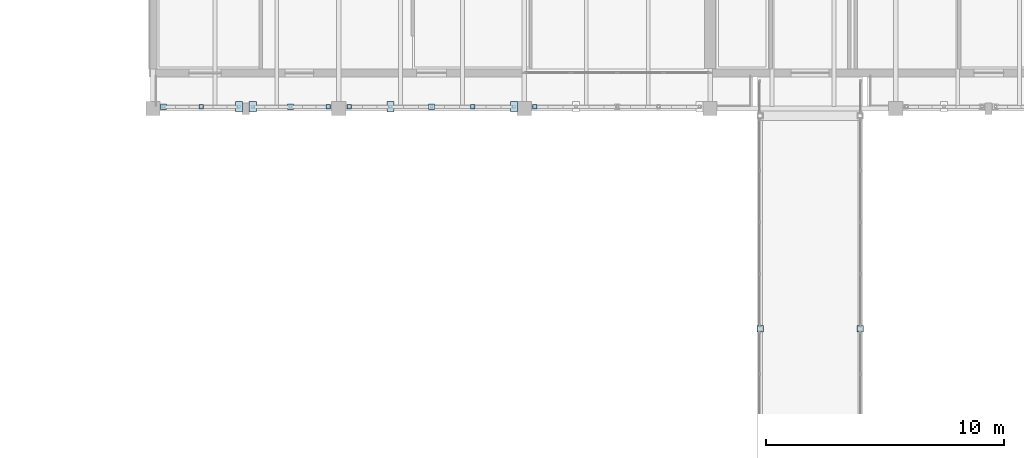
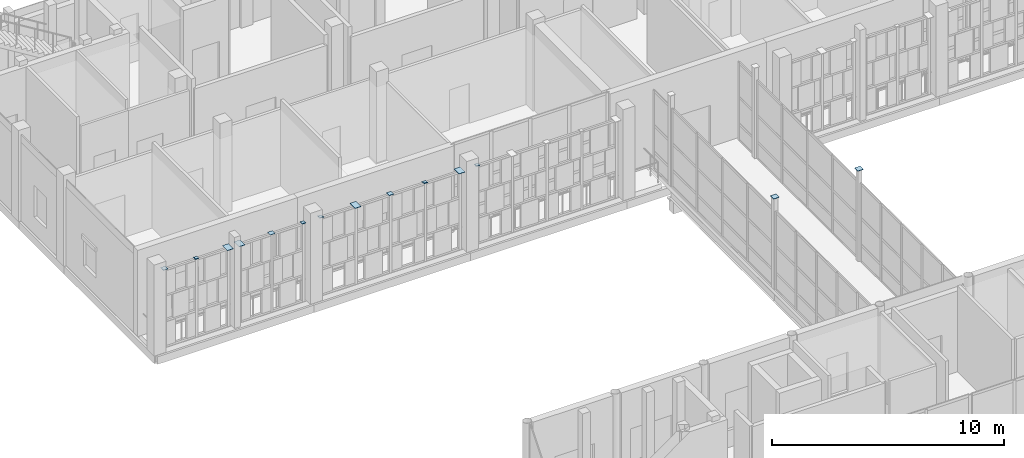
# One storey, part 95 of 138: 14 plates.
"""IFC4 building model written with IfcOpenShell, lengths in metres."""

from ifc_helpers import new_model, si_unit, direction, frame, origin, origin_2d, place, context, subcontext, project, spatial, rectangle, extrude, material, layer, layer_set, type_object, element, save


model = new_model("IFC4")

# Units and contexts
model_context = context("Model", 3, precision=1e-05, world=origin(), true_north=direction((0.0, 1.0)))
body_context = subcontext(model_context, "Body", "Model", "MODEL_VIEW")
ifc_project = project(units=[si_unit("LENGTHUNIT", "METRE"), si_unit("AREAUNIT", "SQUARE_METRE"), si_unit("VOLUMEUNIT", "CUBIC_METRE"), si_unit("PLANEANGLEUNIT", "RADIAN"), si_unit("MASSUNIT", "GRAM", prefix="KILO")], contexts=[model_context])

# Site, building, storey
site_placement = place(None, origin())
site = spatial("IfcSite", under=ifc_project, at=site_placement, CompositionType="ELEMENT")
building_placement = place(site_placement, origin())
building = spatial("IfcBuilding", under=site, at=building_placement, Name="Celorna Specialist Clinic", CompositionType="ELEMENT")
storey_placement = place(building_placement, frame((0.0, 0.0, 4.800048828125)))
storey = spatial("IfcBuildingStorey", under=building, at=storey_placement, Name="L01", CompositionType="ELEMENT", Elevation=4.800048828125)

# Plates
ifc_material = material(Name="Steel S355", Category="steel")
ifc_layer_1 = layer(ifc_material, 0.013916015625, Name="Steel S355")
ifc_layer_set_1 = layer_set([ifc_layer_1], Name="Steel S355")
plate_type_1 = type_object("IfcPlateType", Name="EP-05", PredefinedType="SHEET", material=ifc_layer_set_1)
for number, where, z_axis, x_axis, name in (
    (1, (72.300048828125, 87.25, 4.7998046875), (0.0, 0.0, 1.0), (1.0, 0.0, 0.0), "Hollow column cap plate COL-L01-CT-15-7230-8725"),
    (2, (76.5, 87.25, 4.7998046875), (0.0, 0.0, 1.0), (1.0, 0.0, 0.0), "Hollow column cap plate COL-L01-CT-15-7650-8725"),
):
    element("IfcPlate", number, at=place(storey_placement, frame(where, z_axis=z_axis, x_axis=x_axis)), inside=storey, type_object=plate_type_1, Name=name, PredefinedType="SHEET", context=body_context, shape_type="SweptSolid", body=[
        extrude(rectangle(XDim=0.280029296875, YDim=0.280029296875, at=origin_2d()), origin(), (0.0, 0.0, 1.0), 0.01611328125),
    ])
ifc_layer_2 = layer(ifc_material, 0.011962890625, Name="Steel S355")
ifc_layer_set_2 = layer_set([ifc_layer_2], Name="Steel S355")
plate_type_2 = type_object("IfcPlateType", Name="EP-06", PredefinedType="SHEET", material=ifc_layer_set_2)
for number, where, z_axis, x_axis, name in (
    (3, (48.824951171875, 96.580078125, 4.14013671875), (0.0, 0.0, 1.0), (1.0, 0.0, 0.0), "Screen post cap plate EP-06 #708"),
    (4, (54.159912109375, 96.580078125, 4.14013671875), (0.0, 0.0, 1.0), (1.0, 0.0, 0.0), "Screen post cap plate EP-06 #720"),
    (5, (55.0400390625, 96.580078125, 4.14013671875), (0.0, 0.0, 1.0), (1.0, 0.0, 0.0), "Screen post cap plate EP-06 #729"),
    (6, (60.22998046875, 96.580078125, 4.14013671875), (0.0, 0.0, 1.0), (1.0, 0.0, 0.0), "Screen post cap plate EP-06 #732"),
    (7, (62.840087890625, 96.580078125, 4.14013671875), (0.0, 0.0, 1.0), (1.0, 0.0, 0.0), "Screen post cap plate EP-06 #750"),
):
    element("IfcPlate", number, at=place(storey_placement, frame(where, z_axis=z_axis, x_axis=x_axis)), inside=storey, type_object=plate_type_2, Name=name, PredefinedType="SHEET", context=body_context, shape_type="SweptSolid", body=[
        extrude(rectangle(XDim=0.179931640625, YDim=0.179931640625, at=origin_2d()), origin(), (0.0, 0.0, 1.0), 0.011962890625),
    ])
ifc_layer_3 = layer(ifc_material, 0.01611328125, Name="Steel S355")
ifc_layer_set_3 = layer_set([ifc_layer_3], Name="Steel S355")
plate_type_3 = type_object("IfcPlateType", Name="EP-07", PredefinedType="SHEET", material=ifc_layer_set_3)
for number, where, z_axis, x_axis, name in (
    (8, (50.409912109375, 96.580078125, 4.139892578125), (0.0, 0.0, 1.0), (1.0, 0.0, 0.0), "Screen post cap plate EP-07 #709"),
    (9, (50.989990234375, 96.580078125, 4.139892578125), (0.0, 0.0, 1.0), (1.0, 0.0, 0.0), "Screen post cap plate EP-07 #718"),
    (10, (56.77001953125, 96.580078125, 4.139892578125), (0.0, 0.0, 1.0), (1.0, 0.0, 0.0), "Screen post cap plate EP-07 #730"),
    (11, (61.9599609375, 96.580078125, 4.139892578125), (0.0, 0.0, 1.0), (1.0, 0.0, 0.0), "Screen post cap plate EP-07 #733"),
):
    element("IfcPlate", number, at=place(storey_placement, frame(where, z_axis=z_axis, x_axis=x_axis)), inside=storey, type_object=plate_type_3, Name=name, PredefinedType="SHEET", context=body_context, shape_type="SweptSolid", body=[
        extrude(rectangle(XDim=0.300048828125, YDim=0.43994140625, at=origin_2d()), origin(), (0.0, 0.0, 1.0), 0.01611328125),
    ])
ifc_layer_4 = layer(ifc_material, 0.013916015625, Name="Steel S355")
ifc_layer_set_4 = layer_set([ifc_layer_4], Name="Steel S355")
plate_type_4 = type_object("IfcPlateType", Name="EP-08", PredefinedType="SHEET", material=ifc_layer_set_4)
for number, where, z_axis, x_axis, name in (
    (12, (47.239990234375, 96.580078125, 4.14013671875), (0.0, 0.0, 1.0), (1.0, 0.0, 0.0), "Screen post cap plate EP-08 #707"),
    (13, (52.574951171875, 96.580078125, 4.14013671875), (0.0, 0.0, 1.0), (1.0, 0.0, 0.0), "Screen post cap plate EP-08 #719"),
    (14, (58.5, 96.580078125, 4.14013671875), (0.0, 0.0, 1.0), (1.0, 0.0, 0.0), "Screen post cap plate EP-08 #731"),
):
    element("IfcPlate", number, at=place(storey_placement, frame(where, z_axis=z_axis, x_axis=x_axis)), inside=storey, type_object=plate_type_4, Name=name, PredefinedType="SHEET", context=body_context, shape_type="SweptSolid", body=[
        extrude(rectangle(XDim=0.239990234375, YDim=0.239990234375, at=origin_2d()), origin(), (0.0, 0.0, 1.0), 0.013916015625),
    ])

save(model, "model.ifc")
